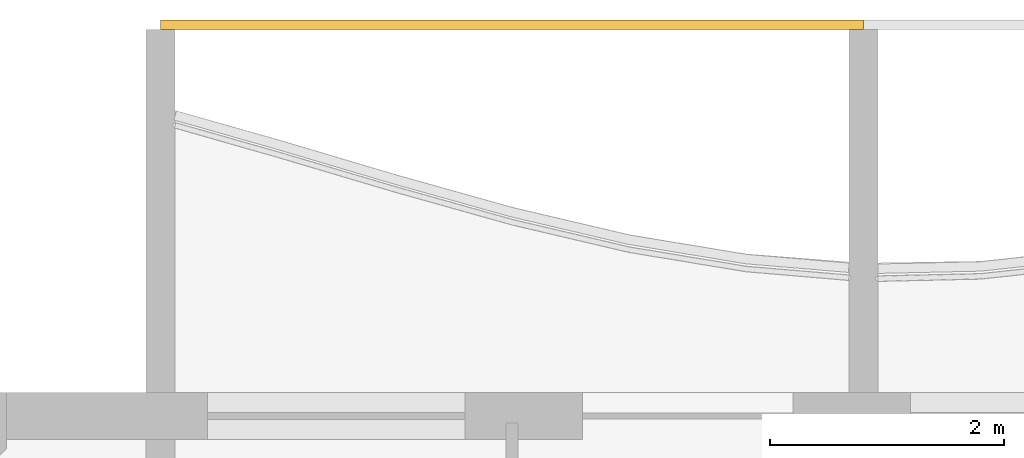
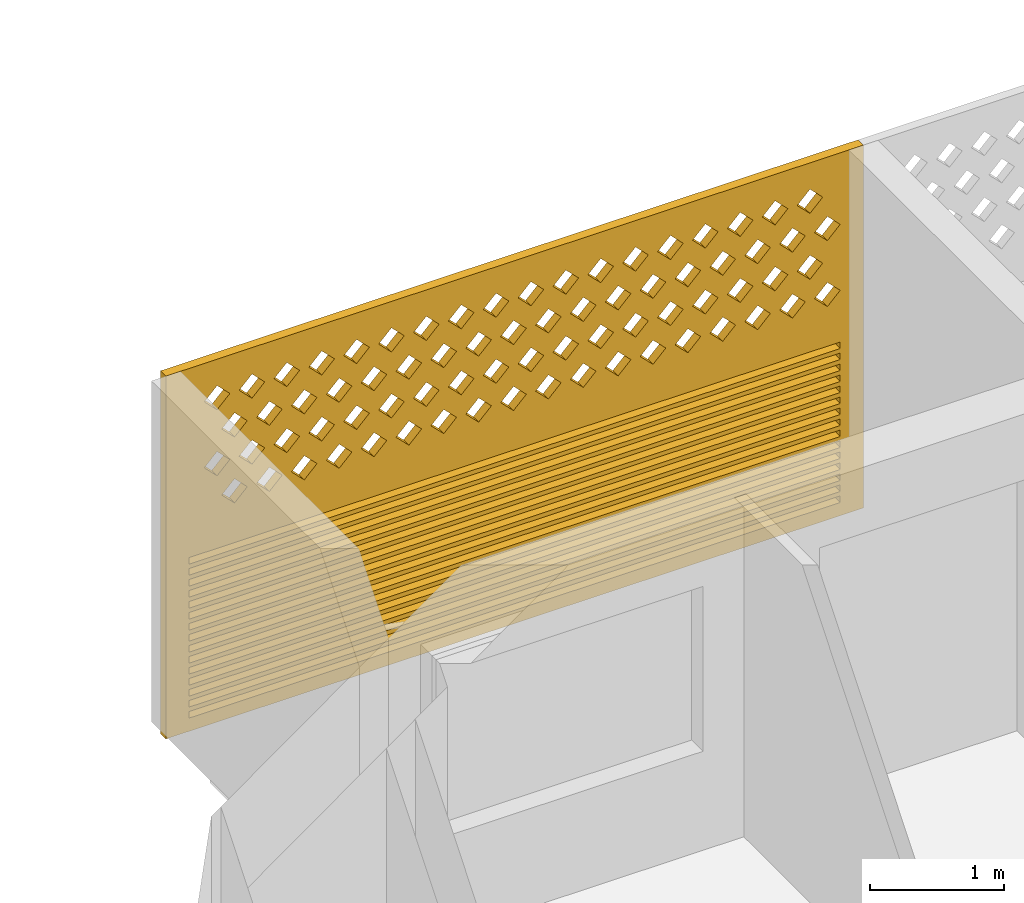
# One storey, part 17 of 27: 1 covering.
"""IFC4 building model written with IfcOpenShell, lengths in metres."""

from ifc_helpers import new_model, si_unit, direction, frame, origin, place, context, subcontext, project, spatial, polyline, outline, extrude, source, transform, mapped, material, material_profile, profile_set, type_object, element, save


model = new_model("IFC4")

# Units and contexts
model_context = context("Model", 3, precision=1e-05, world=origin(), true_north=direction((0.0, 1.0)))
body_context = subcontext(model_context, "Body", "Model", "MODEL_VIEW")
ifc_project = project(units=[si_unit("LENGTHUNIT", "METRE"), si_unit("AREAUNIT", "SQUARE_METRE"), si_unit("VOLUMEUNIT", "CUBIC_METRE"), si_unit("PLANEANGLEUNIT", "RADIAN"), si_unit("MASSUNIT", "GRAM", prefix="KILO")], contexts=[model_context])

# Site, building, storey
site_placement = place(None, origin())
site = spatial("IfcSite", under=ifc_project, at=site_placement, CompositionType="ELEMENT")
building_placement = place(site_placement, origin())
building = spatial("IfcBuilding", under=site, at=building_placement, Name="Poui Terraces", CompositionType="ELEMENT")
storey_placement = place(building_placement, frame((0.0, 0.0, 208.199951171875)))
storey = spatial("IfcBuildingStorey", under=building, at=storey_placement, Name="L58", CompositionType="ELEMENT", Elevation=208.199951171875)

# Covering
ifc_material = material(Name="Terracotta screen", Category="masonry")
ifc_material_profile = material_profile(ifc_material, outline(polyline([(-3.0, -1.64990234375), (3.0, -1.64990234375), (3.0, 1.64990234375), (-3.0, 1.64990234375), (-3.0, -1.64990234375)]), holes=[polyline([(-2.800048828125, 0.39990234375), (-2.68994140625, 0.2900390625), (-2.580078125, 0.39990234375), (-2.68994140625, 0.510009765625), (-2.800048828125, 0.39990234375)]), polyline([(-2.5, 0.39990234375), (-2.389892578125, 0.2900390625), (-2.280029296875, 0.39990234375), (-2.389892578125, 0.510009765625), (-2.5, 0.39990234375)]), polyline([(-2.199951171875, 0.39990234375), (-2.090087890625, 0.2900390625), (-1.97998046875, 0.39990234375), (-2.090087890625, 0.510009765625), (-2.199951171875, 0.39990234375)]), polyline([(-1.89990234375, 0.39990234375), (-1.7900390625, 0.2900390625), (-1.679931640625, 0.39990234375), (-1.7900390625, 0.510009765625), (-1.89990234375, 0.39990234375)]), polyline([(-1.60009765625, 0.39990234375), (-1.489990234375, 0.2900390625), (-1.3798828125, 0.39990234375), (-1.489990234375, 0.510009765625), (-1.60009765625, 0.39990234375)]), polyline([(-1.300048828125, 0.39990234375), (-1.18994140625, 0.2900390625), (-1.080078125, 0.39990234375), (-1.18994140625, 0.510009765625), (-1.300048828125, 0.39990234375)]), polyline([(-1.0, 0.39990234375), (-0.889892578125, 0.2900390625), (-0.780029296875, 0.39990234375), (-0.889892578125, 0.510009765625), (-1.0, 0.39990234375)]), polyline([(-0.699951171875, 0.39990234375), (-0.590087890625, 0.2900390625), (-0.47998046875, 0.39990234375), (-0.590087890625, 0.510009765625), (-0.699951171875, 0.39990234375)]), polyline([(-0.39990234375, 0.39990234375), (-0.2900390625, 0.2900390625), (-0.179931640625, 0.39990234375), (-0.2900390625, 0.510009765625), (-0.39990234375, 0.39990234375)]), polyline([(-0.10009765625, 0.39990234375), (0.010009765625, 0.2900390625), (0.1201171875, 0.39990234375), (0.010009765625, 0.510009765625), (-0.10009765625, 0.39990234375)]), polyline([(0.199951171875, 0.39990234375), (0.31005859375, 0.2900390625), (0.419921875, 0.39990234375), (0.31005859375, 0.510009765625), (0.199951171875, 0.39990234375)]), polyline([(0.5, 0.39990234375), (0.610107421875, 0.2900390625), (0.719970703125, 0.39990234375), (0.610107421875, 0.510009765625), (0.5, 0.39990234375)]), polyline([(0.800048828125, 0.39990234375), (0.909912109375, 0.2900390625), (1.02001953125, 0.39990234375), (0.909912109375, 0.510009765625), (0.800048828125, 0.39990234375)]), polyline([(1.10009765625, 0.39990234375), (1.2099609375, 0.2900390625), (1.320068359375, 0.39990234375), (1.2099609375, 0.510009765625), (1.10009765625, 0.39990234375)]), polyline([(1.39990234375, 0.39990234375), (1.510009765625, 0.2900390625), (1.6201171875, 0.39990234375), (1.510009765625, 0.510009765625), (1.39990234375, 0.39990234375)]), polyline([(1.699951171875, 0.39990234375), (1.81005859375, 0.2900390625), (1.919921875, 0.39990234375), (1.81005859375, 0.510009765625), (1.699951171875, 0.39990234375)]), polyline([(2.0, 0.39990234375), (2.110107421875, 0.2900390625), (2.219970703125, 0.39990234375), (2.110107421875, 0.510009765625), (2.0, 0.39990234375)]), polyline([(2.300048828125, 0.39990234375), (2.409912109375, 0.2900390625), (2.52001953125, 0.39990234375), (2.409912109375, 0.510009765625), (2.300048828125, 0.39990234375)]), polyline([(-2.64990234375, 0.699951171875), (-2.5400390625, 0.590087890625), (-2.429931640625, 0.699951171875), (-2.5400390625, 0.81005859375), (-2.64990234375, 0.699951171875)]), polyline([(-2.35009765625, 0.699951171875), (-2.239990234375, 0.590087890625), (-2.1298828125, 0.699951171875), (-2.239990234375, 0.81005859375), (-2.35009765625, 0.699951171875)]), polyline([(-2.050048828125, 0.699951171875), (-1.93994140625, 0.590087890625), (-1.830078125, 0.699951171875), (-1.93994140625, 0.81005859375), (-2.050048828125, 0.699951171875)]), polyline([(-1.75, 0.699951171875), (-1.639892578125, 0.590087890625), (-1.530029296875, 0.699951171875), (-1.639892578125, 0.81005859375), (-1.75, 0.699951171875)]), polyline([(-1.449951171875, 0.699951171875), (-1.340087890625, 0.590087890625), (-1.22998046875, 0.699951171875), (-1.340087890625, 0.81005859375), (-1.449951171875, 0.699951171875)]), polyline([(-1.14990234375, 0.699951171875), (-1.0400390625, 0.590087890625), (-0.929931640625, 0.699951171875), (-1.0400390625, 0.81005859375), (-1.14990234375, 0.699951171875)]), polyline([(-0.85009765625, 0.699951171875), (-0.739990234375, 0.590087890625), (-0.6298828125, 0.699951171875), (-0.739990234375, 0.81005859375), (-0.85009765625, 0.699951171875)]), polyline([(-0.550048828125, 0.699951171875), (-0.43994140625, 0.590087890625), (-0.330078125, 0.699951171875), (-0.43994140625, 0.81005859375), (-0.550048828125, 0.699951171875)]), polyline([(-0.25, 0.699951171875), (-0.139892578125, 0.590087890625), (-0.030029296875, 0.699951171875), (-0.139892578125, 0.81005859375), (-0.25, 0.699951171875)]), polyline([(0.050048828125, 0.699951171875), (0.159912109375, 0.590087890625), (0.27001953125, 0.699951171875), (0.159912109375, 0.81005859375), (0.050048828125, 0.699951171875)]), polyline([(0.35009765625, 0.699951171875), (0.4599609375, 0.590087890625), (0.570068359375, 0.699951171875), (0.4599609375, 0.81005859375), (0.35009765625, 0.699951171875)]), polyline([(0.64990234375, 0.699951171875), (0.760009765625, 0.590087890625), (0.8701171875, 0.699951171875), (0.760009765625, 0.81005859375), (0.64990234375, 0.699951171875)]), polyline([(0.949951171875, 0.699951171875), (1.06005859375, 0.590087890625), (1.169921875, 0.699951171875), (1.06005859375, 0.81005859375), (0.949951171875, 0.699951171875)]), polyline([(1.25, 0.699951171875), (1.360107421875, 0.590087890625), (1.469970703125, 0.699951171875), (1.360107421875, 0.81005859375), (1.25, 0.699951171875)]), polyline([(1.550048828125, 0.699951171875), (1.659912109375, 0.590087890625), (1.77001953125, 0.699951171875), (1.659912109375, 0.81005859375), (1.550048828125, 0.699951171875)]), polyline([(1.85009765625, 0.699951171875), (1.9599609375, 0.590087890625), (2.070068359375, 0.699951171875), (1.9599609375, 0.81005859375), (1.85009765625, 0.699951171875)]), polyline([(2.14990234375, 0.699951171875), (2.260009765625, 0.590087890625), (2.3701171875, 0.699951171875), (2.260009765625, 0.81005859375), (2.14990234375, 0.699951171875)]), polyline([(2.449951171875, 0.699951171875), (2.56005859375, 0.590087890625), (2.669921875, 0.699951171875), (2.56005859375, 0.81005859375), (2.449951171875, 0.699951171875)]), polyline([(-2.800048828125, 1.0), (-2.68994140625, 0.889892578125), (-2.580078125, 1.0), (-2.68994140625, 1.110107421875), (-2.800048828125, 1.0)]), polyline([(-2.5, 1.0), (-2.389892578125, 0.889892578125), (-2.280029296875, 1.0), (-2.389892578125, 1.110107421875), (-2.5, 1.0)]), polyline([(-2.199951171875, 1.0), (-2.090087890625, 0.889892578125), (-1.97998046875, 1.0), (-2.090087890625, 1.110107421875), (-2.199951171875, 1.0)]), polyline([(-1.89990234375, 1.0), (-1.7900390625, 0.889892578125), (-1.679931640625, 1.0), (-1.7900390625, 1.110107421875), (-1.89990234375, 1.0)]), polyline([(-1.60009765625, 1.0), (-1.489990234375, 0.889892578125), (-1.3798828125, 1.0), (-1.489990234375, 1.110107421875), (-1.60009765625, 1.0)]), polyline([(-1.300048828125, 1.0), (-1.18994140625, 0.889892578125), (-1.080078125, 1.0), (-1.18994140625, 1.110107421875), (-1.300048828125, 1.0)]), polyline([(-1.0, 1.0), (-0.889892578125, 0.889892578125), (-0.780029296875, 1.0), (-0.889892578125, 1.110107421875), (-1.0, 1.0)]), polyline([(-0.699951171875, 1.0), (-0.590087890625, 0.889892578125), (-0.47998046875, 1.0), (-0.590087890625, 1.110107421875), (-0.699951171875, 1.0)]), polyline([(-0.39990234375, 1.0), (-0.2900390625, 0.889892578125), (-0.179931640625, 1.0), (-0.2900390625, 1.110107421875), (-0.39990234375, 1.0)]), polyline([(-0.10009765625, 1.0), (0.010009765625, 0.889892578125), (0.1201171875, 1.0), (0.010009765625, 1.110107421875), (-0.10009765625, 1.0)]), polyline([(0.199951171875, 1.0), (0.31005859375, 0.889892578125), (0.419921875, 1.0), (0.31005859375, 1.110107421875), (0.199951171875, 1.0)]), polyline([(0.5, 1.0), (0.610107421875, 0.889892578125), (0.719970703125, 1.0), (0.610107421875, 1.110107421875), (0.5, 1.0)]), polyline([(0.800048828125, 1.0), (0.909912109375, 0.889892578125), (1.02001953125, 1.0), (0.909912109375, 1.110107421875), (0.800048828125, 1.0)]), polyline([(1.10009765625, 1.0), (1.2099609375, 0.889892578125), (1.320068359375, 1.0), (1.2099609375, 1.110107421875), (1.10009765625, 1.0)]), polyline([(1.39990234375, 1.0), (1.510009765625, 0.889892578125), (1.6201171875, 1.0), (1.510009765625, 1.110107421875), (1.39990234375, 1.0)]), polyline([(1.699951171875, 1.0), (1.81005859375, 0.889892578125), (1.919921875, 1.0), (1.81005859375, 1.110107421875), (1.699951171875, 1.0)]), polyline([(2.0, 1.0), (2.110107421875, 0.889892578125), (2.219970703125, 1.0), (2.110107421875, 1.110107421875), (2.0, 1.0)]), polyline([(2.300048828125, 1.0), (2.409912109375, 0.889892578125), (2.52001953125, 1.0), (2.409912109375, 1.110107421875), (2.300048828125, 1.0)]), polyline([(-2.64990234375, 1.300048828125), (-2.5400390625, 1.18994140625), (-2.429931640625, 1.300048828125), (-2.5400390625, 1.409912109375), (-2.64990234375, 1.300048828125)]), polyline([(-2.35009765625, 1.300048828125), (-2.239990234375, 1.18994140625), (-2.1298828125, 1.300048828125), (-2.239990234375, 1.409912109375), (-2.35009765625, 1.300048828125)]), polyline([(-2.050048828125, 1.300048828125), (-1.93994140625, 1.18994140625), (-1.830078125, 1.300048828125), (-1.93994140625, 1.409912109375), (-2.050048828125, 1.300048828125)]), polyline([(-1.75, 1.300048828125), (-1.639892578125, 1.18994140625), (-1.530029296875, 1.300048828125), (-1.639892578125, 1.409912109375), (-1.75, 1.300048828125)]), polyline([(-1.449951171875, 1.300048828125), (-1.340087890625, 1.18994140625), (-1.22998046875, 1.300048828125), (-1.340087890625, 1.409912109375), (-1.449951171875, 1.300048828125)]), polyline([(-1.14990234375, 1.300048828125), (-1.0400390625, 1.18994140625), (-0.929931640625, 1.300048828125), (-1.0400390625, 1.409912109375), (-1.14990234375, 1.300048828125)]), polyline([(-0.85009765625, 1.300048828125), (-0.739990234375, 1.18994140625), (-0.6298828125, 1.300048828125), (-0.739990234375, 1.409912109375), (-0.85009765625, 1.300048828125)]), polyline([(-0.550048828125, 1.300048828125), (-0.43994140625, 1.18994140625), (-0.330078125, 1.300048828125), (-0.43994140625, 1.409912109375), (-0.550048828125, 1.300048828125)]), polyline([(-0.25, 1.300048828125), (-0.139892578125, 1.18994140625), (-0.030029296875, 1.300048828125), (-0.139892578125, 1.409912109375), (-0.25, 1.300048828125)]), polyline([(0.050048828125, 1.300048828125), (0.159912109375, 1.18994140625), (0.27001953125, 1.300048828125), (0.159912109375, 1.409912109375), (0.050048828125, 1.300048828125)]), polyline([(0.35009765625, 1.300048828125), (0.4599609375, 1.18994140625), (0.570068359375, 1.300048828125), (0.4599609375, 1.409912109375), (0.35009765625, 1.300048828125)]), polyline([(0.64990234375, 1.300048828125), (0.760009765625, 1.18994140625), (0.8701171875, 1.300048828125), (0.760009765625, 1.409912109375), (0.64990234375, 1.300048828125)]), polyline([(0.949951171875, 1.300048828125), (1.06005859375, 1.18994140625), (1.169921875, 1.300048828125), (1.06005859375, 1.409912109375), (0.949951171875, 1.300048828125)]), polyline([(1.25, 1.300048828125), (1.360107421875, 1.18994140625), (1.469970703125, 1.300048828125), (1.360107421875, 1.409912109375), (1.25, 1.300048828125)]), polyline([(1.550048828125, 1.300048828125), (1.659912109375, 1.18994140625), (1.77001953125, 1.300048828125), (1.659912109375, 1.409912109375), (1.550048828125, 1.300048828125)]), polyline([(1.85009765625, 1.300048828125), (1.9599609375, 1.18994140625), (2.070068359375, 1.300048828125), (1.9599609375, 1.409912109375), (1.85009765625, 1.300048828125)]), polyline([(2.14990234375, 1.300048828125), (2.260009765625, 1.18994140625), (2.3701171875, 1.300048828125), (2.260009765625, 1.409912109375), (2.14990234375, 1.300048828125)]), polyline([(2.449951171875, 1.300048828125), (2.56005859375, 1.18994140625), (2.669921875, 1.300048828125), (2.56005859375, 1.409912109375), (2.449951171875, 1.300048828125)]), polyline([(-2.800048828125, -1.530029296875), (2.800048828125, -1.530029296875), (2.800048828125, -1.469970703125), (-2.800048828125, -1.469970703125), (-2.800048828125, -1.530029296875)]), polyline([(-2.800048828125, -1.429931640625), (2.800048828125, -1.429931640625), (2.800048828125, -1.3701171875), (-2.800048828125, -1.3701171875), (-2.800048828125, -1.429931640625)]), polyline([(-2.800048828125, -1.330078125), (2.800048828125, -1.330078125), (2.800048828125, -1.27001953125), (-2.800048828125, -1.27001953125), (-2.800048828125, -1.330078125)]), polyline([(-2.800048828125, -1.22998046875), (2.800048828125, -1.22998046875), (2.800048828125, -1.169921875), (-2.800048828125, -1.169921875), (-2.800048828125, -1.22998046875)]), polyline([(-2.800048828125, -1.1298828125), (2.800048828125, -1.1298828125), (2.800048828125, -1.070068359375), (-2.800048828125, -1.070068359375), (-2.800048828125, -1.1298828125)]), polyline([(-2.800048828125, -1.030029296875), (2.800048828125, -1.030029296875), (2.800048828125, -0.969970703125), (-2.800048828125, -0.969970703125), (-2.800048828125, -1.030029296875)]), polyline([(-2.800048828125, -0.929931640625), (2.800048828125, -0.929931640625), (2.800048828125, -0.8701171875), (-2.800048828125, -0.8701171875), (-2.800048828125, -0.929931640625)]), polyline([(-2.800048828125, -0.830078125), (2.800048828125, -0.830078125), (2.800048828125, -0.77001953125), (-2.800048828125, -0.77001953125), (-2.800048828125, -0.830078125)]), polyline([(-2.800048828125, -0.72998046875), (2.800048828125, -0.72998046875), (2.800048828125, -0.669921875), (-2.800048828125, -0.669921875), (-2.800048828125, -0.72998046875)]), polyline([(-2.800048828125, -0.6298828125), (2.800048828125, -0.6298828125), (2.800048828125, -0.570068359375), (-2.800048828125, -0.570068359375), (-2.800048828125, -0.6298828125)]), polyline([(-2.800048828125, -0.530029296875), (2.800048828125, -0.530029296875), (2.800048828125, -0.469970703125), (-2.800048828125, -0.469970703125), (-2.800048828125, -0.530029296875)]), polyline([(-2.800048828125, -0.429931640625), (2.800048828125, -0.429931640625), (2.800048828125, -0.3701171875), (-2.800048828125, -0.3701171875), (-2.800048828125, -0.429931640625)]), polyline([(-2.800048828125, -0.330078125), (2.800048828125, -0.330078125), (2.800048828125, -0.27001953125), (-2.800048828125, -0.27001953125), (-2.800048828125, -0.330078125)]), polyline([(-2.800048828125, -0.22998046875), (2.800048828125, -0.22998046875), (2.800048828125, -0.169921875), (-2.800048828125, -0.169921875), (-2.800048828125, -0.22998046875)]), polyline([(-2.800048828125, -0.1298828125), (2.800048828125, -0.1298828125), (2.800048828125, -0.070068359375), (-2.800048828125, -0.070068359375), (-2.800048828125, -0.1298828125)])]), Name="TERRACOTTA SCREEN AND JALOUSIE LOUVRE 6000X3300")
ifc_profile_set = profile_set([ifc_material_profile], Name="Terracotta screen")
covering_type = type_object("IfcCoveringType", Name="TERRACOTTA SCREEN AND JALOUSIE LOUVRE 6000X3300", PredefinedType="CLADDING", material=ifc_profile_set)
shared_shape = source(origin(), body_context, "Body", "SweptSolid", [
    extrude(outline(polyline([(-3.0, -1.64990234375), (3.0, -1.64990234375), (3.0, 1.64990234375), (-3.0, 1.64990234375), (-3.0, -1.64990234375)]), holes=[polyline([(-2.800048828125, 0.39990234375), (-2.68994140625, 0.2900390625), (-2.580078125, 0.39990234375), (-2.68994140625, 0.510009765625), (-2.800048828125, 0.39990234375)]), polyline([(-2.5, 0.39990234375), (-2.389892578125, 0.2900390625), (-2.280029296875, 0.39990234375), (-2.389892578125, 0.510009765625), (-2.5, 0.39990234375)]), polyline([(-2.199951171875, 0.39990234375), (-2.090087890625, 0.2900390625), (-1.97998046875, 0.39990234375), (-2.090087890625, 0.510009765625), (-2.199951171875, 0.39990234375)]), polyline([(-1.89990234375, 0.39990234375), (-1.7900390625, 0.2900390625), (-1.679931640625, 0.39990234375), (-1.7900390625, 0.510009765625), (-1.89990234375, 0.39990234375)]), polyline([(-1.60009765625, 0.39990234375), (-1.489990234375, 0.2900390625), (-1.3798828125, 0.39990234375), (-1.489990234375, 0.510009765625), (-1.60009765625, 0.39990234375)]), polyline([(-1.300048828125, 0.39990234375), (-1.18994140625, 0.2900390625), (-1.080078125, 0.39990234375), (-1.18994140625, 0.510009765625), (-1.300048828125, 0.39990234375)]), polyline([(-1.0, 0.39990234375), (-0.889892578125, 0.2900390625), (-0.780029296875, 0.39990234375), (-0.889892578125, 0.510009765625), (-1.0, 0.39990234375)]), polyline([(-0.699951171875, 0.39990234375), (-0.590087890625, 0.2900390625), (-0.47998046875, 0.39990234375), (-0.590087890625, 0.510009765625), (-0.699951171875, 0.39990234375)]), polyline([(-0.39990234375, 0.39990234375), (-0.2900390625, 0.2900390625), (-0.179931640625, 0.39990234375), (-0.2900390625, 0.510009765625), (-0.39990234375, 0.39990234375)]), polyline([(-0.10009765625, 0.39990234375), (0.010009765625, 0.2900390625), (0.1201171875, 0.39990234375), (0.010009765625, 0.510009765625), (-0.10009765625, 0.39990234375)]), polyline([(0.199951171875, 0.39990234375), (0.31005859375, 0.2900390625), (0.419921875, 0.39990234375), (0.31005859375, 0.510009765625), (0.199951171875, 0.39990234375)]), polyline([(0.5, 0.39990234375), (0.610107421875, 0.2900390625), (0.719970703125, 0.39990234375), (0.610107421875, 0.510009765625), (0.5, 0.39990234375)]), polyline([(0.800048828125, 0.39990234375), (0.909912109375, 0.2900390625), (1.02001953125, 0.39990234375), (0.909912109375, 0.510009765625), (0.800048828125, 0.39990234375)]), polyline([(1.10009765625, 0.39990234375), (1.2099609375, 0.2900390625), (1.320068359375, 0.39990234375), (1.2099609375, 0.510009765625), (1.10009765625, 0.39990234375)]), polyline([(1.39990234375, 0.39990234375), (1.510009765625, 0.2900390625), (1.6201171875, 0.39990234375), (1.510009765625, 0.510009765625), (1.39990234375, 0.39990234375)]), polyline([(1.699951171875, 0.39990234375), (1.81005859375, 0.2900390625), (1.919921875, 0.39990234375), (1.81005859375, 0.510009765625), (1.699951171875, 0.39990234375)]), polyline([(2.0, 0.39990234375), (2.110107421875, 0.2900390625), (2.219970703125, 0.39990234375), (2.110107421875, 0.510009765625), (2.0, 0.39990234375)]), polyline([(2.300048828125, 0.39990234375), (2.409912109375, 0.2900390625), (2.52001953125, 0.39990234375), (2.409912109375, 0.510009765625), (2.300048828125, 0.39990234375)]), polyline([(-2.64990234375, 0.699951171875), (-2.5400390625, 0.590087890625), (-2.429931640625, 0.699951171875), (-2.5400390625, 0.81005859375), (-2.64990234375, 0.699951171875)]), polyline([(-2.35009765625, 0.699951171875), (-2.239990234375, 0.590087890625), (-2.1298828125, 0.699951171875), (-2.239990234375, 0.81005859375), (-2.35009765625, 0.699951171875)]), polyline([(-2.050048828125, 0.699951171875), (-1.93994140625, 0.590087890625), (-1.830078125, 0.699951171875), (-1.93994140625, 0.81005859375), (-2.050048828125, 0.699951171875)]), polyline([(-1.75, 0.699951171875), (-1.639892578125, 0.590087890625), (-1.530029296875, 0.699951171875), (-1.639892578125, 0.81005859375), (-1.75, 0.699951171875)]), polyline([(-1.449951171875, 0.699951171875), (-1.340087890625, 0.590087890625), (-1.22998046875, 0.699951171875), (-1.340087890625, 0.81005859375), (-1.449951171875, 0.699951171875)]), polyline([(-1.14990234375, 0.699951171875), (-1.0400390625, 0.590087890625), (-0.929931640625, 0.699951171875), (-1.0400390625, 0.81005859375), (-1.14990234375, 0.699951171875)]), polyline([(-0.85009765625, 0.699951171875), (-0.739990234375, 0.590087890625), (-0.6298828125, 0.699951171875), (-0.739990234375, 0.81005859375), (-0.85009765625, 0.699951171875)]), polyline([(-0.550048828125, 0.699951171875), (-0.43994140625, 0.590087890625), (-0.330078125, 0.699951171875), (-0.43994140625, 0.81005859375), (-0.550048828125, 0.699951171875)]), polyline([(-0.25, 0.699951171875), (-0.139892578125, 0.590087890625), (-0.030029296875, 0.699951171875), (-0.139892578125, 0.81005859375), (-0.25, 0.699951171875)]), polyline([(0.050048828125, 0.699951171875), (0.159912109375, 0.590087890625), (0.27001953125, 0.699951171875), (0.159912109375, 0.81005859375), (0.050048828125, 0.699951171875)]), polyline([(0.35009765625, 0.699951171875), (0.4599609375, 0.590087890625), (0.570068359375, 0.699951171875), (0.4599609375, 0.81005859375), (0.35009765625, 0.699951171875)]), polyline([(0.64990234375, 0.699951171875), (0.760009765625, 0.590087890625), (0.8701171875, 0.699951171875), (0.760009765625, 0.81005859375), (0.64990234375, 0.699951171875)]), polyline([(0.949951171875, 0.699951171875), (1.06005859375, 0.590087890625), (1.169921875, 0.699951171875), (1.06005859375, 0.81005859375), (0.949951171875, 0.699951171875)]), polyline([(1.25, 0.699951171875), (1.360107421875, 0.590087890625), (1.469970703125, 0.699951171875), (1.360107421875, 0.81005859375), (1.25, 0.699951171875)]), polyline([(1.550048828125, 0.699951171875), (1.659912109375, 0.590087890625), (1.77001953125, 0.699951171875), (1.659912109375, 0.81005859375), (1.550048828125, 0.699951171875)]), polyline([(1.85009765625, 0.699951171875), (1.9599609375, 0.590087890625), (2.070068359375, 0.699951171875), (1.9599609375, 0.81005859375), (1.85009765625, 0.699951171875)]), polyline([(2.14990234375, 0.699951171875), (2.260009765625, 0.590087890625), (2.3701171875, 0.699951171875), (2.260009765625, 0.81005859375), (2.14990234375, 0.699951171875)]), polyline([(2.449951171875, 0.699951171875), (2.56005859375, 0.590087890625), (2.669921875, 0.699951171875), (2.56005859375, 0.81005859375), (2.449951171875, 0.699951171875)]), polyline([(-2.800048828125, 1.0), (-2.68994140625, 0.889892578125), (-2.580078125, 1.0), (-2.68994140625, 1.110107421875), (-2.800048828125, 1.0)]), polyline([(-2.5, 1.0), (-2.389892578125, 0.889892578125), (-2.280029296875, 1.0), (-2.389892578125, 1.110107421875), (-2.5, 1.0)]), polyline([(-2.199951171875, 1.0), (-2.090087890625, 0.889892578125), (-1.97998046875, 1.0), (-2.090087890625, 1.110107421875), (-2.199951171875, 1.0)]), polyline([(-1.89990234375, 1.0), (-1.7900390625, 0.889892578125), (-1.679931640625, 1.0), (-1.7900390625, 1.110107421875), (-1.89990234375, 1.0)]), polyline([(-1.60009765625, 1.0), (-1.489990234375, 0.889892578125), (-1.3798828125, 1.0), (-1.489990234375, 1.110107421875), (-1.60009765625, 1.0)]), polyline([(-1.300048828125, 1.0), (-1.18994140625, 0.889892578125), (-1.080078125, 1.0), (-1.18994140625, 1.110107421875), (-1.300048828125, 1.0)]), polyline([(-1.0, 1.0), (-0.889892578125, 0.889892578125), (-0.780029296875, 1.0), (-0.889892578125, 1.110107421875), (-1.0, 1.0)]), polyline([(-0.699951171875, 1.0), (-0.590087890625, 0.889892578125), (-0.47998046875, 1.0), (-0.590087890625, 1.110107421875), (-0.699951171875, 1.0)]), polyline([(-0.39990234375, 1.0), (-0.2900390625, 0.889892578125), (-0.179931640625, 1.0), (-0.2900390625, 1.110107421875), (-0.39990234375, 1.0)]), polyline([(-0.10009765625, 1.0), (0.010009765625, 0.889892578125), (0.1201171875, 1.0), (0.010009765625, 1.110107421875), (-0.10009765625, 1.0)]), polyline([(0.199951171875, 1.0), (0.31005859375, 0.889892578125), (0.419921875, 1.0), (0.31005859375, 1.110107421875), (0.199951171875, 1.0)]), polyline([(0.5, 1.0), (0.610107421875, 0.889892578125), (0.719970703125, 1.0), (0.610107421875, 1.110107421875), (0.5, 1.0)]), polyline([(0.800048828125, 1.0), (0.909912109375, 0.889892578125), (1.02001953125, 1.0), (0.909912109375, 1.110107421875), (0.800048828125, 1.0)]), polyline([(1.10009765625, 1.0), (1.2099609375, 0.889892578125), (1.320068359375, 1.0), (1.2099609375, 1.110107421875), (1.10009765625, 1.0)]), polyline([(1.39990234375, 1.0), (1.510009765625, 0.889892578125), (1.6201171875, 1.0), (1.510009765625, 1.110107421875), (1.39990234375, 1.0)]), polyline([(1.699951171875, 1.0), (1.81005859375, 0.889892578125), (1.919921875, 1.0), (1.81005859375, 1.110107421875), (1.699951171875, 1.0)]), polyline([(2.0, 1.0), (2.110107421875, 0.889892578125), (2.219970703125, 1.0), (2.110107421875, 1.110107421875), (2.0, 1.0)]), polyline([(2.300048828125, 1.0), (2.409912109375, 0.889892578125), (2.52001953125, 1.0), (2.409912109375, 1.110107421875), (2.300048828125, 1.0)]), polyline([(-2.64990234375, 1.300048828125), (-2.5400390625, 1.18994140625), (-2.429931640625, 1.300048828125), (-2.5400390625, 1.409912109375), (-2.64990234375, 1.300048828125)]), polyline([(-2.35009765625, 1.300048828125), (-2.239990234375, 1.18994140625), (-2.1298828125, 1.300048828125), (-2.239990234375, 1.409912109375), (-2.35009765625, 1.300048828125)]), polyline([(-2.050048828125, 1.300048828125), (-1.93994140625, 1.18994140625), (-1.830078125, 1.300048828125), (-1.93994140625, 1.409912109375), (-2.050048828125, 1.300048828125)]), polyline([(-1.75, 1.300048828125), (-1.639892578125, 1.18994140625), (-1.530029296875, 1.300048828125), (-1.639892578125, 1.409912109375), (-1.75, 1.300048828125)]), polyline([(-1.449951171875, 1.300048828125), (-1.340087890625, 1.18994140625), (-1.22998046875, 1.300048828125), (-1.340087890625, 1.409912109375), (-1.449951171875, 1.300048828125)]), polyline([(-1.14990234375, 1.300048828125), (-1.0400390625, 1.18994140625), (-0.929931640625, 1.300048828125), (-1.0400390625, 1.409912109375), (-1.14990234375, 1.300048828125)]), polyline([(-0.85009765625, 1.300048828125), (-0.739990234375, 1.18994140625), (-0.6298828125, 1.300048828125), (-0.739990234375, 1.409912109375), (-0.85009765625, 1.300048828125)]), polyline([(-0.550048828125, 1.300048828125), (-0.43994140625, 1.18994140625), (-0.330078125, 1.300048828125), (-0.43994140625, 1.409912109375), (-0.550048828125, 1.300048828125)]), polyline([(-0.25, 1.300048828125), (-0.139892578125, 1.18994140625), (-0.030029296875, 1.300048828125), (-0.139892578125, 1.409912109375), (-0.25, 1.300048828125)]), polyline([(0.050048828125, 1.300048828125), (0.159912109375, 1.18994140625), (0.27001953125, 1.300048828125), (0.159912109375, 1.409912109375), (0.050048828125, 1.300048828125)]), polyline([(0.35009765625, 1.300048828125), (0.4599609375, 1.18994140625), (0.570068359375, 1.300048828125), (0.4599609375, 1.409912109375), (0.35009765625, 1.300048828125)]), polyline([(0.64990234375, 1.300048828125), (0.760009765625, 1.18994140625), (0.8701171875, 1.300048828125), (0.760009765625, 1.409912109375), (0.64990234375, 1.300048828125)]), polyline([(0.949951171875, 1.300048828125), (1.06005859375, 1.18994140625), (1.169921875, 1.300048828125), (1.06005859375, 1.409912109375), (0.949951171875, 1.300048828125)]), polyline([(1.25, 1.300048828125), (1.360107421875, 1.18994140625), (1.469970703125, 1.300048828125), (1.360107421875, 1.409912109375), (1.25, 1.300048828125)]), polyline([(1.550048828125, 1.300048828125), (1.659912109375, 1.18994140625), (1.77001953125, 1.300048828125), (1.659912109375, 1.409912109375), (1.550048828125, 1.300048828125)]), polyline([(1.85009765625, 1.300048828125), (1.9599609375, 1.18994140625), (2.070068359375, 1.300048828125), (1.9599609375, 1.409912109375), (1.85009765625, 1.300048828125)]), polyline([(2.14990234375, 1.300048828125), (2.260009765625, 1.18994140625), (2.3701171875, 1.300048828125), (2.260009765625, 1.409912109375), (2.14990234375, 1.300048828125)]), polyline([(2.449951171875, 1.300048828125), (2.56005859375, 1.18994140625), (2.669921875, 1.300048828125), (2.56005859375, 1.409912109375), (2.449951171875, 1.300048828125)]), polyline([(-2.800048828125, -1.530029296875), (2.800048828125, -1.530029296875), (2.800048828125, -1.469970703125), (-2.800048828125, -1.469970703125), (-2.800048828125, -1.530029296875)]), polyline([(-2.800048828125, -1.429931640625), (2.800048828125, -1.429931640625), (2.800048828125, -1.3701171875), (-2.800048828125, -1.3701171875), (-2.800048828125, -1.429931640625)]), polyline([(-2.800048828125, -1.330078125), (2.800048828125, -1.330078125), (2.800048828125, -1.27001953125), (-2.800048828125, -1.27001953125), (-2.800048828125, -1.330078125)]), polyline([(-2.800048828125, -1.22998046875), (2.800048828125, -1.22998046875), (2.800048828125, -1.169921875), (-2.800048828125, -1.169921875), (-2.800048828125, -1.22998046875)]), polyline([(-2.800048828125, -1.1298828125), (2.800048828125, -1.1298828125), (2.800048828125, -1.070068359375), (-2.800048828125, -1.070068359375), (-2.800048828125, -1.1298828125)]), polyline([(-2.800048828125, -1.030029296875), (2.800048828125, -1.030029296875), (2.800048828125, -0.969970703125), (-2.800048828125, -0.969970703125), (-2.800048828125, -1.030029296875)]), polyline([(-2.800048828125, -0.929931640625), (2.800048828125, -0.929931640625), (2.800048828125, -0.8701171875), (-2.800048828125, -0.8701171875), (-2.800048828125, -0.929931640625)]), polyline([(-2.800048828125, -0.830078125), (2.800048828125, -0.830078125), (2.800048828125, -0.77001953125), (-2.800048828125, -0.77001953125), (-2.800048828125, -0.830078125)]), polyline([(-2.800048828125, -0.72998046875), (2.800048828125, -0.72998046875), (2.800048828125, -0.669921875), (-2.800048828125, -0.669921875), (-2.800048828125, -0.72998046875)]), polyline([(-2.800048828125, -0.6298828125), (2.800048828125, -0.6298828125), (2.800048828125, -0.570068359375), (-2.800048828125, -0.570068359375), (-2.800048828125, -0.6298828125)]), polyline([(-2.800048828125, -0.530029296875), (2.800048828125, -0.530029296875), (2.800048828125, -0.469970703125), (-2.800048828125, -0.469970703125), (-2.800048828125, -0.530029296875)]), polyline([(-2.800048828125, -0.429931640625), (2.800048828125, -0.429931640625), (2.800048828125, -0.3701171875), (-2.800048828125, -0.3701171875), (-2.800048828125, -0.429931640625)]), polyline([(-2.800048828125, -0.330078125), (2.800048828125, -0.330078125), (2.800048828125, -0.27001953125), (-2.800048828125, -0.27001953125), (-2.800048828125, -0.330078125)]), polyline([(-2.800048828125, -0.22998046875), (2.800048828125, -0.22998046875), (2.800048828125, -0.169921875), (-2.800048828125, -0.169921875), (-2.800048828125, -0.22998046875)]), polyline([(-2.800048828125, -0.1298828125), (2.800048828125, -0.1298828125), (2.800048828125, -0.070068359375), (-2.800048828125, -0.070068359375), (-2.800048828125, -0.1298828125)])]), origin(), (0.0, 0.0, 1.0), 0.080078125),
])
covering_placement = place(storey_placement, frame((27.0, 44.5, 1.449951171875), z_axis=(0.0, 1.0, 0.0), x_axis=(-1.0, 0.0, 0.0)))
element("IfcCovering", 1, at=covering_placement, inside=storey, type_object=covering_type, Name="SOLAR SCREEN AND JALOUSIE LOUVRE", PredefinedType="CLADDING", context=body_context, shape_type="MappedRepresentation", body=[
    mapped(shared_shape, transform((0.0, 0.0, 0.0))),
])

save(model, "model.ifc")
